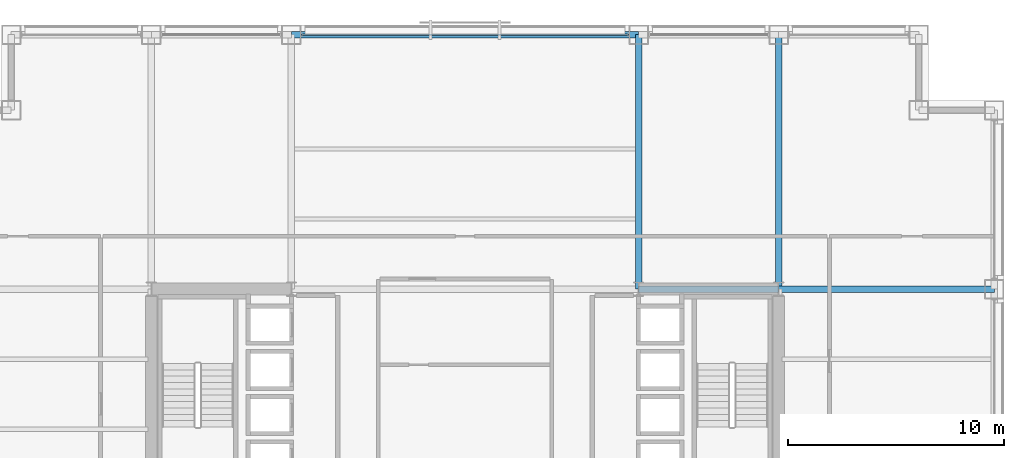
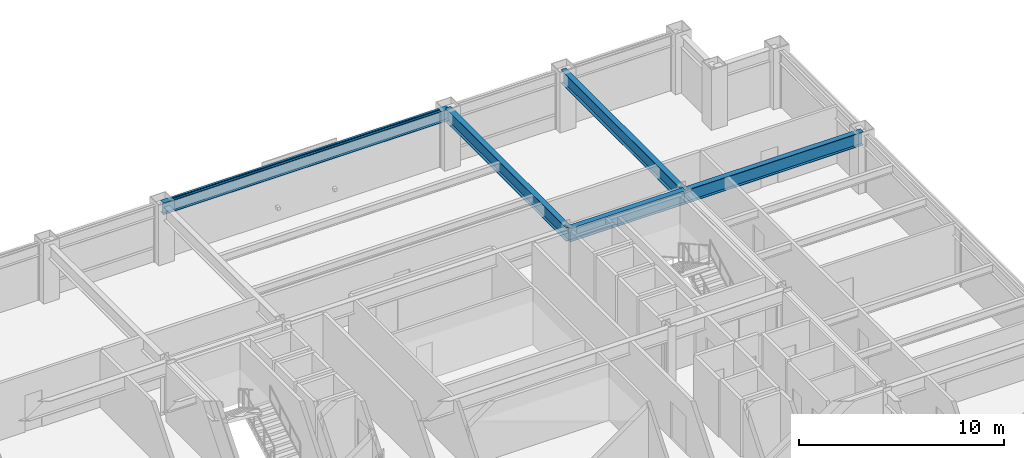
# One storey, part 18 of 29: 5 beams, 1 member, 1 element without a shape of its own.
"""IFC4 building model written with IfcOpenShell, lengths in metres."""

from ifc_helpers import new_model, si_unit, direction, frame, origin, origin_2d, place, context, subcontext, project, spatial, hollow_rectangle, i_section, extrude, material, layer, layer_set, material_profile, profile_set, type_object, element, aggregate, save


model = new_model("IFC4")

# Units and contexts
model_context = context("Model", 3, precision=1e-05, world=origin(), true_north=direction((0.0, 1.0)))
body_context = subcontext(model_context, "Body", "Model", "MODEL_VIEW")
ifc_project = project(units=[si_unit("LENGTHUNIT", "METRE"), si_unit("AREAUNIT", "SQUARE_METRE"), si_unit("VOLUMEUNIT", "CUBIC_METRE"), si_unit("PLANEANGLEUNIT", "RADIAN"), si_unit("MASSUNIT", "GRAM", prefix="KILO")], contexts=[model_context])

# Site, building, storey
site_placement = place(None, origin())
site = spatial("IfcSite", under=ifc_project, at=site_placement, CompositionType="ELEMENT")
building_placement = place(site_placement, origin())
building = spatial("IfcBuilding", under=site, at=building_placement, Name="Brelmoor Portico Tower", CompositionType="ELEMENT")
storey_placement = place(building_placement, frame((0.0, 0.0, 63.60009765625)))
storey = spatial("IfcBuildingStorey", under=building, at=storey_placement, Name="L16", CompositionType="ELEMENT", Elevation=63.60009765625)

# Beams
ifc_material_1 = material(Name="Steel Q355B", Category="steel")
ifc_material_profile_1 = material_profile(ifc_material_1, i_section(OverallWidth=0.300048828125, OverallDepth=0.800048828125, WebThickness=0.013916015625, FlangeThickness=0.02587890625, at=origin_2d()), Name="HN 800x300x14x26")
ifc_profile_set_1 = profile_set([ifc_material_profile_1], Name="Steel Q355B")
beam_type_1 = type_object("IfcBeamType", Name="BM-PG-800", PredefinedType="BEAM", material=ifc_profile_set_1)
for number, where, z_axis, x_axis, name in (
    (1, (8.050048828125, 9.75, 3.0), (0.0, 1.0, 0.0), (-1.0, 0.0, 0.0), "L16 Primary Floor Girder PG-10"),
    (2, (14.550048828125, 9.75, 3.0), (0.0, 1.0, 0.0), (-1.0, 0.0, 0.0), "L16 Primary Floor Girder PG-14"),
):
    element("IfcBeam", number, at=place(storey_placement, frame(where, z_axis=z_axis, x_axis=x_axis)), inside=storey, type_object=beam_type_1, Name=name, PredefinedType="BEAM", context=body_context, shape_type="SweptSolid", body=[
        extrude(i_section(OverallWidth=0.300048828125, OverallDepth=0.800048828125, WebThickness=0.013916015625, FlangeThickness=0.02587890625, at=origin_2d()), origin(), (0.0, 0.0, 1.0), 11.800048828125),
    ])
beam_1_placement = place(storey_placement, frame((8.050048828125, 9.75, 3.0), z_axis=(1.0, 0.0, 0.0), x_axis=(0.0, 1.0, 0.0)))
element("IfcBeam", 3, at=beam_1_placement, inside=storey, type_object=beam_type_1, Name="L16 Primary Floor Girder PG-30", PredefinedType="BEAM", context=body_context, shape_type="SweptSolid", body=[
    extrude(i_section(OverallWidth=0.300048828125, OverallDepth=0.800048828125, WebThickness=0.013916015625, FlangeThickness=0.02587890625, at=origin_2d()), origin(), (0.0, 0.0, 1.0), 6.5),
])
beam_2_placement = place(storey_placement, frame((14.550048828125, 9.75, 3.0), z_axis=(1.0, 0.0, 0.0), x_axis=(0.0, 1.0, 0.0)))
element("IfcBeam", 4, at=beam_2_placement, inside=storey, type_object=beam_type_1, Name="L16 Primary Floor Girder PG-31", PredefinedType="BEAM", context=body_context, shape_type="SweptSolid", body=[
    extrude(i_section(OverallWidth=0.300048828125, OverallDepth=0.800048828125, WebThickness=0.013916015625, FlangeThickness=0.02587890625, at=origin_2d()), origin(), (0.0, 0.0, 1.0), 10.0),
])
ifc_material_profile_2 = material_profile(ifc_material_1, i_section(OverallWidth=0.300048828125, OverallDepth=0.699951171875, WebThickness=0.012939453125, FlangeThickness=0.02392578125, at=origin_2d()), Name="HN 700x300x13x24")
ifc_profile_set_2 = profile_set([ifc_material_profile_2], Name="Steel Q355B")
beam_type_2 = type_object("IfcBeamType", Name="BM-SP-700", PredefinedType="SPANDREL", material=ifc_profile_set_2)
beam_3_placement = place(storey_placement, frame((-8.050048828125, 21.550048828125, 3.0498046875), z_axis=(1.0, 0.0, 0.0), x_axis=(0.0, 1.0, 0.0)))
element("IfcBeam", 5, at=beam_3_placement, inside=storey, type_object=beam_type_2, Name="L16 Perimeter Spandrel Beam SP-12", PredefinedType="SPANDREL", context=body_context, shape_type="SweptSolid", body=[
    extrude(i_section(OverallWidth=0.300048828125, OverallDepth=0.699951171875, WebThickness=0.012939453125, FlangeThickness=0.02392578125, at=origin_2d()), origin(), (0.0, 0.0, 1.0), 16.10009765625),
])

# Curtain wall, member
ifc_material_2 = material(Name="Anodised Aluminium Alloy 6063-T6", Category="aluminium")
ifc_layer = layer(ifc_material_2, 0.179931640625)
ifc_layer_set = layer_set([ifc_layer], Name="Anodised Aluminium Alloy 6063-T6")
curtain_wall_type = type_object("IfcCurtainWallType", Name="CW-TOWER-Z1-XB", PredefinedType="NOTDEFINED", material=ifc_layer_set)
curtain_wall_placement = place(storey_placement, origin())
curtain_wall = element("IfcCurtainWall", 6, at=curtain_wall_placement, inside=storey, type_object=curtain_wall_type, Name="L16 Curtain Wall CW-L16-02-3", PredefinedType="NOTDEFINED")
ifc_material_profile_3 = material_profile(ifc_material_2, hollow_rectangle(XDim=0.06494140625, YDim=0.139892578125, WallThickness=0.00390625, at=origin_2d()), Name="ALU TRANSOM 65x140")
ifc_profile_set_3 = profile_set([ifc_material_profile_3], Name="Anodised Aluminium Alloy 6063-T6")
member_type = type_object("IfcMemberType", Name="MB-CW-TRAN-140", PredefinedType="USERDEFINED", material=ifc_profile_set_3)
member_placement = place(storey_placement, frame((-7.590087890625, 21.550048828125, 3.329833984375), z_axis=(1.0, 0.0, 0.0), x_axis=(0.0, 1.0, 0.0)))
member = element("IfcMember", 7, at=member_placement, type_object=member_type, Name="CW-L16-02-3 Transom 1-00", ObjectType="TRANSOM", PredefinedType="USERDEFINED", context=body_context, shape_type="SweptSolid", body=[
    extrude(hollow_rectangle(XDim=0.06494140625, YDim=0.139892578125, WallThickness=0.00390625, at=origin_2d()), origin(), (0.0, 0.0, 1.0), 15.18017578125),
])
aggregate(curtain_wall, [member])

save(model, "model.ifc")
